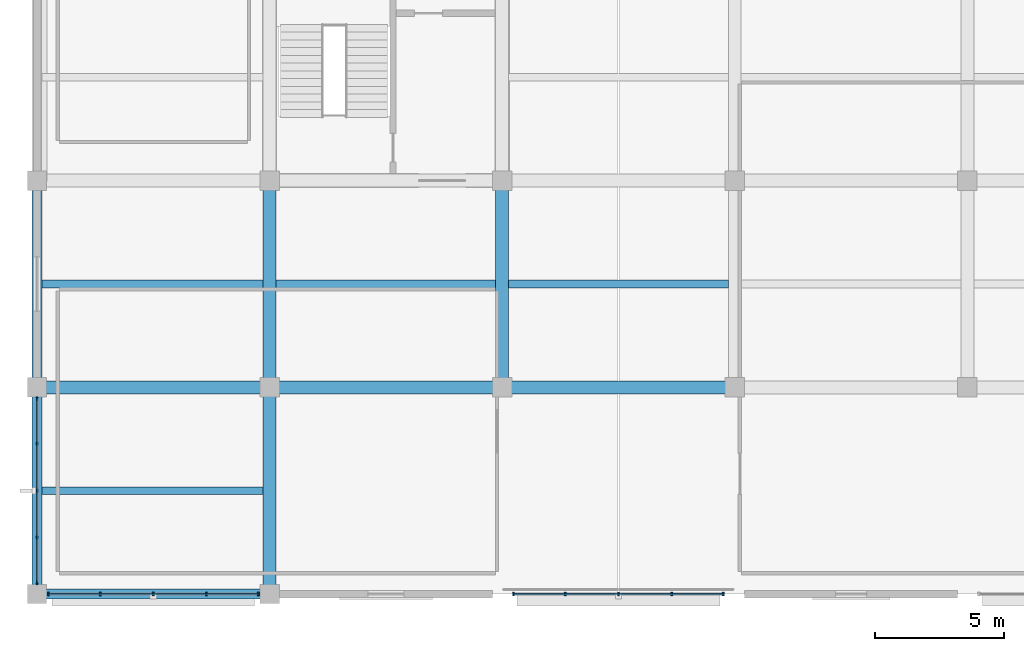
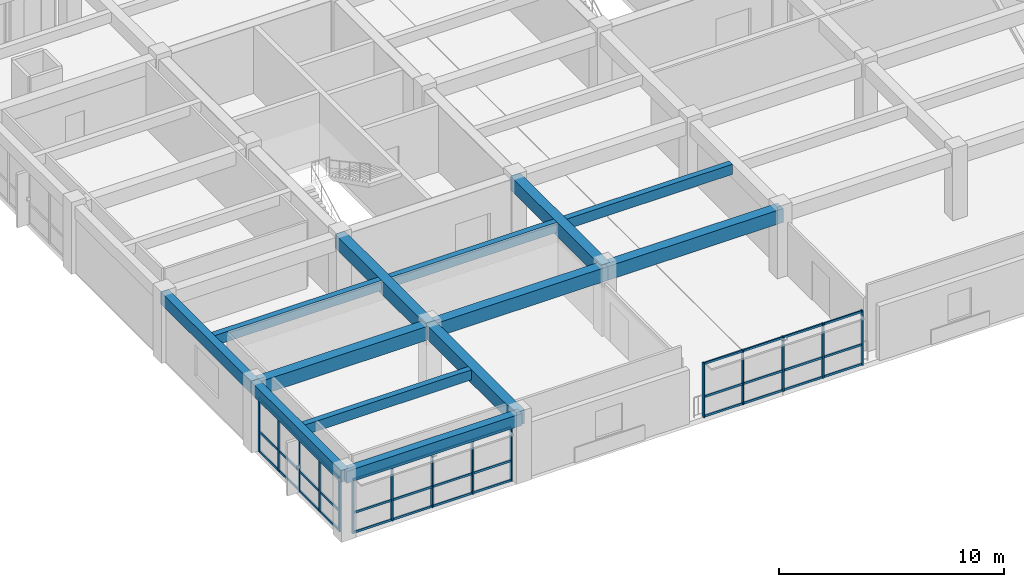
# One storey, part 2 of 15: 24 members, 13 beams, 3 elements without a shape of their own.
"""IFC4 building model written with IfcOpenShell, lengths in metres."""

from ifc_helpers import new_model, si_unit, direction, frame, origin, origin_2d, place, context, subcontext, project, spatial, rectangle, extrude, material, material_profile, profile_set, type_object, element, aggregate, save


model = new_model("IFC4")

# Units and contexts
model_context = context("Model", 3, precision=1e-05, world=origin(), true_north=direction((0.0, 1.0)))
body_context = subcontext(model_context, "Body", "Model", "MODEL_VIEW")
ifc_project = project(units=[si_unit("LENGTHUNIT", "METRE"), si_unit("AREAUNIT", "SQUARE_METRE"), si_unit("VOLUMEUNIT", "CUBIC_METRE"), si_unit("PLANEANGLEUNIT", "RADIAN"), si_unit("MASSUNIT", "GRAM", prefix="KILO")], contexts=[model_context])

# Site, building, storey
site_placement = place(None, origin())
site = spatial("IfcSite", under=ifc_project, at=site_placement, CompositionType="ELEMENT")
building_placement = place(site_placement, origin())
building = spatial("IfcBuilding", under=site, at=building_placement, Name="Zaverband Oceanarium and Marine Research Institute", CompositionType="ELEMENT")
storey_placement = place(building_placement, frame((0.0, 0.0, 45.300048828125)))
storey = spatial("IfcBuildingStorey", under=building, at=storey_placement, Name="L11", CompositionType="ELEMENT", Elevation=45.300048828125)

# Beams
ifc_material_1 = material(Name="Concrete C40/50", Category="concrete")
ifc_material_profile_1 = material_profile(ifc_material_1, rectangle(XDim=0.5, YDim=0.75, at=origin_2d()), Name="RC500x750")
ifc_profile_set_1 = profile_set([ifc_material_profile_1], Name="Concrete C40/50")
beam_type_1 = type_object("IfcBeamType", Name="BM-500x750", PredefinedType="BEAM", material=ifc_profile_set_1)
for number, where, z_axis, x_axis, name in (
    (1, (9.0, 72.0, 3.244873046875), (1.0, 0.0, 0.0), (0.0, 1.0, 0.0), "Primary floor girder BM-500x750"),
    (2, (18.0, 72.0, 3.244873046875), (1.0, 0.0, 0.0), (0.0, 1.0, 0.0), "Primary floor girder BM-500x750"),
    (3, (27.0, 72.0, 3.244873046875), (1.0, 0.0, 0.0), (0.0, 1.0, 0.0), "Primary floor girder BM-500x750"),
):
    element("IfcBeam", number, at=place(storey_placement, frame(where, z_axis=z_axis, x_axis=x_axis)), inside=storey, type_object=beam_type_1, Name=name, PredefinedType="BEAM", context=body_context, shape_type="SweptSolid", body=[
        extrude(rectangle(XDim=0.5, YDim=0.75, at=origin_2d()), origin(), (0.0, 0.0, 1.0), 9.0),
    ])
for number, where, z_axis, x_axis, name in (
    (4, (18.0, 64.0, 3.244873046875), (0.0, 1.0, 0.0), (-1.0, 0.0, 0.0), "Primary floor girder BM-500x750"),
    (5, (18.0, 72.0, 3.244873046875), (0.0, 1.0, 0.0), (-1.0, 0.0, 0.0), "Primary floor girder BM-500x750"),
    (6, (27.0, 72.0, 3.244873046875), (0.0, 1.0, 0.0), (-1.0, 0.0, 0.0), "Primary floor girder BM-500x750"),
):
    element("IfcBeam", number, at=place(storey_placement, frame(where, z_axis=z_axis, x_axis=x_axis)), inside=storey, type_object=beam_type_1, Name=name, PredefinedType="BEAM", context=body_context, shape_type="SweptSolid", body=[
        extrude(rectangle(XDim=0.5, YDim=0.75, at=origin_2d()), origin(), (0.0, 0.0, 1.0), 8.0),
    ])
ifc_material_profile_2 = material_profile(ifc_material_1, rectangle(XDim=0.300048828125, YDim=0.550048828125, at=origin_2d()), Name="RC300x550")
ifc_profile_set_2 = profile_set([ifc_material_profile_2], Name="Concrete C40/50")
beam_type_2 = type_object("IfcBeamType", Name="JST-300x550", PredefinedType="JOIST", material=ifc_profile_set_2)
for number, where, z_axis, x_axis, name in (
    (7, (9.199951171875, 68.0, 3.344970703125), (1.0, 0.0, 0.0), (0.0, 1.0, 0.0), "Secondary floor joist JST-300x550"),
    (8, (9.199951171875, 76.0, 3.344970703125), (1.0, 0.0, 0.0), (0.0, 1.0, 0.0), "Secondary floor joist JST-300x550"),
):
    element("IfcBeam", number, at=place(storey_placement, frame(where, z_axis=z_axis, x_axis=x_axis)), inside=storey, type_object=beam_type_2, Name=name, PredefinedType="JOIST", context=body_context, shape_type="SweptSolid", body=[
        extrude(rectangle(XDim=0.300048828125, YDim=0.550048828125, at=origin_2d()), origin(), (0.0, 0.0, 1.0), 8.550048828125),
    ])
for number, where, z_axis, x_axis, name in (
    (9, (18.25, 76.0, 3.344970703125), (1.0, 0.0, 0.0), (0.0, 1.0, 0.0), "Secondary floor joist JST-300x550"),
    (10, (27.25, 76.0, 3.344970703125), (1.0, 0.0, 0.0), (0.0, 1.0, 0.0), "Secondary floor joist JST-300x550"),
):
    element("IfcBeam", number, at=place(storey_placement, frame(where, z_axis=z_axis, x_axis=x_axis)), inside=storey, type_object=beam_type_2, Name=name, PredefinedType="JOIST", context=body_context, shape_type="SweptSolid", body=[
        extrude(rectangle(XDim=0.300048828125, YDim=0.550048828125, at=origin_2d()), origin(), (0.0, 0.0, 1.0), 8.5),
    ])

# Curtain wall, members
ifc_material_2 = material(Name="Thermally broken anodized aluminium and solar-control glass", Category="aluminium")
curtain_wall_type = type_object("IfcCurtainWallType", Name="CW-UNIT-1800", PredefinedType="NOTDEFINED", material=ifc_material_2)
curtain_wall_1_placement = place(storey_placement, origin())
curtain_wall_1 = element("IfcCurtainWall", 11, at=curtain_wall_1_placement, inside=storey, type_object=curtain_wall_type, Name="Unitised glazed curtain wall CW-121", PredefinedType="NOTDEFINED")
ifc_material_3 = material(Name="Thermally broken anodized aluminium", Category="aluminium")
ifc_material_profile_3 = material_profile(ifc_material_3, rectangle(XDim=0.070068359375, YDim=0.14990234375, at=origin_2d()), Name="AL-MUL-70x150")
ifc_profile_set_3 = profile_set([ifc_material_profile_3], Name="Thermally broken anodized aluminium")
member_type_1 = type_object("IfcMemberType", Name="MUL-70x150", PredefinedType="MULLION", material=ifc_profile_set_3)
member_1_placement = place(storey_placement, frame((9.43994140625, 64.0, 0.0), z_axis=(0.0, 0.0, 1.0), x_axis=(1.0, 0.0, 0.0)))
member_1 = element("IfcMember", 12, at=member_1_placement, type_object=member_type_1, Name="Curtain wall vertical mullion MUL-70x150", PredefinedType="MULLION", context=body_context, shape_type="SweptSolid", body=[
    extrude(rectangle(XDim=0.070068359375, YDim=0.14990234375, at=origin_2d()), origin(), (0.0, 0.0, 1.0), 2.949951171875),
])
member_2_placement = place(storey_placement, frame((11.43994140625, 64.0, 0.0), z_axis=(0.0, 0.0, 1.0), x_axis=(1.0, 0.0, 0.0)))
member_2 = element("IfcMember", 13, at=member_2_placement, type_object=member_type_1, Name="Curtain wall vertical mullion MUL-70x150", PredefinedType="MULLION", context=body_context, shape_type="SweptSolid", body=[
    extrude(rectangle(XDim=0.070068359375, YDim=0.14990234375, at=origin_2d()), origin(), (0.0, 0.0, 1.0), 2.949951171875),
])
member_3_placement = place(storey_placement, frame((13.5, 64.0, 0.0), z_axis=(0.0, 0.0, 1.0), x_axis=(1.0, 0.0, 0.0)))
member_3 = element("IfcMember", 14, at=member_3_placement, type_object=member_type_1, Name="Curtain wall vertical mullion MUL-70x150", PredefinedType="MULLION", context=body_context, shape_type="SweptSolid", body=[
    extrude(rectangle(XDim=0.070068359375, YDim=0.14990234375, at=origin_2d()), origin(), (0.0, 0.0, 1.0), 2.949951171875),
])
member_4_placement = place(storey_placement, frame((15.56005859375, 64.0, 0.0), z_axis=(0.0, 0.0, 1.0), x_axis=(1.0, 0.0, 0.0)))
member_4 = element("IfcMember", 15, at=member_4_placement, type_object=member_type_1, Name="Curtain wall vertical mullion MUL-70x150", PredefinedType="MULLION", context=body_context, shape_type="SweptSolid", body=[
    extrude(rectangle(XDim=0.070068359375, YDim=0.14990234375, at=origin_2d()), origin(), (0.0, 0.0, 1.0), 2.949951171875),
])
member_5_placement = place(storey_placement, frame((17.56005859375, 64.0, 0.0), z_axis=(0.0, 0.0, 1.0), x_axis=(1.0, 0.0, 0.0)))
member_5 = element("IfcMember", 16, at=member_5_placement, type_object=member_type_1, Name="Curtain wall vertical mullion MUL-70x150", PredefinedType="MULLION", context=body_context, shape_type="SweptSolid", body=[
    extrude(rectangle(XDim=0.070068359375, YDim=0.14990234375, at=origin_2d()), origin(), (0.0, 0.0, 1.0), 2.949951171875),
])

curtain_wall_2_placement = place(storey_placement, origin())
curtain_wall_2 = element("IfcCurtainWall", 17, at=curtain_wall_2_placement, inside=storey, type_object=curtain_wall_type, Name="Unitised glazed curtain wall CW-122", PredefinedType="NOTDEFINED")
member_6_placement = place(storey_placement, frame((27.43994140625, 64.0, 0.0), z_axis=(0.0, 0.0, 1.0), x_axis=(1.0, 0.0, 0.0)))
member_6 = element("IfcMember", 18, at=member_6_placement, type_object=member_type_1, Name="Curtain wall vertical mullion MUL-70x150", PredefinedType="MULLION", context=body_context, shape_type="SweptSolid", body=[
    extrude(rectangle(XDim=0.070068359375, YDim=0.14990234375, at=origin_2d()), origin(), (0.0, 0.0, 1.0), 2.949951171875),
])
member_7_placement = place(storey_placement, frame((29.43994140625, 64.0, 0.0), z_axis=(0.0, 0.0, 1.0), x_axis=(1.0, 0.0, 0.0)))
member_7 = element("IfcMember", 19, at=member_7_placement, type_object=member_type_1, Name="Curtain wall vertical mullion MUL-70x150", PredefinedType="MULLION", context=body_context, shape_type="SweptSolid", body=[
    extrude(rectangle(XDim=0.070068359375, YDim=0.14990234375, at=origin_2d()), origin(), (0.0, 0.0, 1.0), 2.949951171875),
])
member_8_placement = place(storey_placement, frame((31.5, 64.0, 0.0), z_axis=(0.0, 0.0, 1.0), x_axis=(1.0, 0.0, 0.0)))
member_8 = element("IfcMember", 20, at=member_8_placement, type_object=member_type_1, Name="Curtain wall vertical mullion MUL-70x150", PredefinedType="MULLION", context=body_context, shape_type="SweptSolid", body=[
    extrude(rectangle(XDim=0.070068359375, YDim=0.14990234375, at=origin_2d()), origin(), (0.0, 0.0, 1.0), 2.949951171875),
])
member_9_placement = place(storey_placement, frame((33.56005859375, 64.0, 0.0), z_axis=(0.0, 0.0, 1.0), x_axis=(1.0, 0.0, 0.0)))
member_9 = element("IfcMember", 21, at=member_9_placement, type_object=member_type_1, Name="Curtain wall vertical mullion MUL-70x150", PredefinedType="MULLION", context=body_context, shape_type="SweptSolid", body=[
    extrude(rectangle(XDim=0.070068359375, YDim=0.14990234375, at=origin_2d()), origin(), (0.0, 0.0, 1.0), 2.949951171875),
])
member_10_placement = place(storey_placement, frame((35.56005859375, 64.0, 0.0), z_axis=(0.0, 0.0, 1.0), x_axis=(1.0, 0.0, 0.0)))
member_10 = element("IfcMember", 22, at=member_10_placement, type_object=member_type_1, Name="Curtain wall vertical mullion MUL-70x150", PredefinedType="MULLION", context=body_context, shape_type="SweptSolid", body=[
    extrude(rectangle(XDim=0.070068359375, YDim=0.14990234375, at=origin_2d()), origin(), (0.0, 0.0, 1.0), 2.949951171875),
])

curtain_wall_3_placement = place(storey_placement, origin())
curtain_wall_3 = element("IfcCurtainWall", 23, at=curtain_wall_3_placement, inside=storey, type_object=curtain_wall_type, Name="Unitised glazed curtain wall CW-127", PredefinedType="NOTDEFINED")
member_11_placement = place(storey_placement, frame((9.0, 64.43994140625, 0.0), z_axis=(0.0, 0.0, 1.0), x_axis=(1.0, 0.0, 0.0)))
member_11 = element("IfcMember", 24, at=member_11_placement, type_object=member_type_1, Name="Curtain wall vertical mullion MUL-70x150", PredefinedType="MULLION", context=body_context, shape_type="SweptSolid", body=[
    extrude(rectangle(XDim=0.070068359375, YDim=0.14990234375, at=origin_2d()), origin(), (0.0, 0.0, 1.0), 2.949951171875),
])
member_12_placement = place(storey_placement, frame((9.0, 66.18994140625, 0.0), z_axis=(0.0, 0.0, 1.0), x_axis=(1.0, 0.0, 0.0)))
member_12 = element("IfcMember", 25, at=member_12_placement, type_object=member_type_1, Name="Curtain wall vertical mullion MUL-70x150", PredefinedType="MULLION", context=body_context, shape_type="SweptSolid", body=[
    extrude(rectangle(XDim=0.070068359375, YDim=0.14990234375, at=origin_2d()), origin(), (0.0, 0.0, 1.0), 2.949951171875),
])
member_13_placement = place(storey_placement, frame((9.0, 68.0, 0.0), z_axis=(0.0, 0.0, 1.0), x_axis=(1.0, 0.0, 0.0)))
member_13 = element("IfcMember", 26, at=member_13_placement, type_object=member_type_1, Name="Curtain wall vertical mullion MUL-70x150", PredefinedType="MULLION", context=body_context, shape_type="SweptSolid", body=[
    extrude(rectangle(XDim=0.070068359375, YDim=0.14990234375, at=origin_2d()), origin(), (0.0, 0.0, 1.0), 2.949951171875),
])
member_14_placement = place(storey_placement, frame((9.0, 69.81005859375, 0.0), z_axis=(0.0, 0.0, 1.0), x_axis=(1.0, 0.0, 0.0)))
member_14 = element("IfcMember", 27, at=member_14_placement, type_object=member_type_1, Name="Curtain wall vertical mullion MUL-70x150", PredefinedType="MULLION", context=body_context, shape_type="SweptSolid", body=[
    extrude(rectangle(XDim=0.070068359375, YDim=0.14990234375, at=origin_2d()), origin(), (0.0, 0.0, 1.0), 2.949951171875),
])
member_15_placement = place(storey_placement, frame((9.0, 71.56005859375, 0.0), z_axis=(0.0, 0.0, 1.0), x_axis=(1.0, 0.0, 0.0)))
member_15 = element("IfcMember", 28, at=member_15_placement, type_object=member_type_1, Name="Curtain wall vertical mullion MUL-70x150", PredefinedType="MULLION", context=body_context, shape_type="SweptSolid", body=[
    extrude(rectangle(XDim=0.070068359375, YDim=0.14990234375, at=origin_2d()), origin(), (0.0, 0.0, 1.0), 2.949951171875),
])

# Beams
ifc_material_profile_4 = material_profile(ifc_material_1, rectangle(XDim=0.39990234375, YDim=0.64990234375, at=origin_2d()), Name="RC400x650")
ifc_profile_set_4 = profile_set([ifc_material_profile_4], Name="Concrete C40/50")
beam_type_3 = type_object("IfcBeamType", Name="SPN-400x650", PredefinedType="SPANDREL", material=ifc_profile_set_4)
beam_placement = place(storey_placement, frame((9.0, 64.0, 3.294921875), z_axis=(1.0, 0.0, 0.0), x_axis=(0.0, 1.0, 0.0)))
element("IfcBeam", 29, at=beam_placement, inside=storey, type_object=beam_type_3, Name="Perimeter spandrel beam SPN-400x650", PredefinedType="SPANDREL", context=body_context, shape_type="SweptSolid", body=[
    extrude(rectangle(XDim=0.39990234375, YDim=0.64990234375, at=origin_2d()), origin(), (0.0, 0.0, 1.0), 9.0),
])
for number, where, z_axis, x_axis, name in (
    (30, (9.0, 64.0, 3.294921875), (0.0, 1.0, 0.0), (-1.0, 0.0, 0.0), "Perimeter spandrel beam SPN-400x650"),
    (31, (9.0, 72.0, 3.294921875), (0.0, 1.0, 0.0), (-1.0, 0.0, 0.0), "Perimeter spandrel beam SPN-400x650"),
):
    element("IfcBeam", number, at=place(storey_placement, frame(where, z_axis=z_axis, x_axis=x_axis)), inside=storey, type_object=beam_type_3, Name=name, PredefinedType="SPANDREL", context=body_context, shape_type="SweptSolid", body=[
        extrude(rectangle(XDim=0.39990234375, YDim=0.64990234375, at=origin_2d()), origin(), (0.0, 0.0, 1.0), 8.0),
    ])

# Member
ifc_material_profile_5 = material_profile(ifc_material_3, rectangle(XDim=0.070068359375, YDim=0.114990234375, at=origin_2d()), Name="AL-TRN-70x115")
ifc_profile_set_5 = profile_set([ifc_material_profile_5], Name="Thermally broken anodized aluminium")
member_type_2 = type_object("IfcMemberType", Name="TRN-70x115", PredefinedType="USERDEFINED", material=ifc_profile_set_5)
member_16_placement = place(storey_placement, frame((9.43994140625, 64.0, 0.050048828125), z_axis=(1.0, 0.0, 0.0), x_axis=(0.0, 1.0, 0.0)))
member_16 = element("IfcMember", 32, at=member_16_placement, type_object=member_type_2, Name="Curtain wall horizontal transom TRN-70x115", ObjectType="TRANSOM", PredefinedType="USERDEFINED", context=body_context, shape_type="SweptSolid", body=[
    extrude(rectangle(XDim=0.070068359375, YDim=0.114990234375, at=origin_2d()), origin(), (0.0, 0.0, 1.0), 8.1201171875),
])

member_17_placement = place(storey_placement, frame((9.43994140625, 64.0, 1.112060546875), z_axis=(1.0, 0.0, 0.0), x_axis=(0.0, 1.0, 0.0)))
member_17 = element("IfcMember", 33, at=member_17_placement, type_object=member_type_2, Name="Curtain wall horizontal transom TRN-70x115", ObjectType="TRANSOM", PredefinedType="USERDEFINED", context=body_context, shape_type="SweptSolid", body=[
    extrude(rectangle(XDim=0.070068359375, YDim=0.114990234375, at=origin_2d()), origin(), (0.0, 0.0, 1.0), 8.1201171875),
])

member_18_placement = place(storey_placement, frame((9.43994140625, 64.0, 2.89990234375), z_axis=(1.0, 0.0, 0.0), x_axis=(0.0, 1.0, 0.0)))
member_18 = element("IfcMember", 34, at=member_18_placement, type_object=member_type_2, Name="Curtain wall horizontal transom TRN-70x115", ObjectType="TRANSOM", PredefinedType="USERDEFINED", context=body_context, shape_type="SweptSolid", body=[
    extrude(rectangle(XDim=0.070068359375, YDim=0.114990234375, at=origin_2d()), origin(), (0.0, 0.0, 1.0), 8.1201171875),
])

aggregate(curtain_wall_1, [member_1, member_2, member_3, member_4, member_5, member_16, member_17, member_18])

member_19_placement = place(storey_placement, frame((27.43994140625, 64.0, 0.050048828125), z_axis=(1.0, 0.0, 0.0), x_axis=(0.0, 1.0, 0.0)))
member_19 = element("IfcMember", 35, at=member_19_placement, type_object=member_type_2, Name="Curtain wall horizontal transom TRN-70x115", ObjectType="TRANSOM", PredefinedType="USERDEFINED", context=body_context, shape_type="SweptSolid", body=[
    extrude(rectangle(XDim=0.070068359375, YDim=0.114990234375, at=origin_2d()), origin(), (0.0, 0.0, 1.0), 8.1201171875),
])

member_20_placement = place(storey_placement, frame((27.43994140625, 64.0, 1.112060546875), z_axis=(1.0, 0.0, 0.0), x_axis=(0.0, 1.0, 0.0)))
member_20 = element("IfcMember", 36, at=member_20_placement, type_object=member_type_2, Name="Curtain wall horizontal transom TRN-70x115", ObjectType="TRANSOM", PredefinedType="USERDEFINED", context=body_context, shape_type="SweptSolid", body=[
    extrude(rectangle(XDim=0.070068359375, YDim=0.114990234375, at=origin_2d()), origin(), (0.0, 0.0, 1.0), 8.1201171875),
])

member_21_placement = place(storey_placement, frame((27.43994140625, 64.0, 2.89990234375), z_axis=(1.0, 0.0, 0.0), x_axis=(0.0, 1.0, 0.0)))
member_21 = element("IfcMember", 37, at=member_21_placement, type_object=member_type_2, Name="Curtain wall horizontal transom TRN-70x115", ObjectType="TRANSOM", PredefinedType="USERDEFINED", context=body_context, shape_type="SweptSolid", body=[
    extrude(rectangle(XDim=0.070068359375, YDim=0.114990234375, at=origin_2d()), origin(), (0.0, 0.0, 1.0), 8.1201171875),
])

aggregate(curtain_wall_2, [member_6, member_7, member_8, member_9, member_10, member_19, member_20, member_21])

member_22_placement = place(storey_placement, frame((9.0, 64.43994140625, 0.050048828125), z_axis=(0.0, 1.0, 0.0), x_axis=(-1.0, 0.0, 0.0)))
member_22 = element("IfcMember", 38, at=member_22_placement, type_object=member_type_2, Name="Curtain wall horizontal transom TRN-70x115", ObjectType="TRANSOM", PredefinedType="USERDEFINED", context=body_context, shape_type="SweptSolid", body=[
    extrude(rectangle(XDim=0.070068359375, YDim=0.114990234375, at=origin_2d()), origin(), (0.0, 0.0, 1.0), 7.1201171875),
])

member_23_placement = place(storey_placement, frame((9.0, 64.43994140625, 1.112060546875), z_axis=(0.0, 1.0, 0.0), x_axis=(-1.0, 0.0, 0.0)))
member_23 = element("IfcMember", 39, at=member_23_placement, type_object=member_type_2, Name="Curtain wall horizontal transom TRN-70x115", ObjectType="TRANSOM", PredefinedType="USERDEFINED", context=body_context, shape_type="SweptSolid", body=[
    extrude(rectangle(XDim=0.070068359375, YDim=0.114990234375, at=origin_2d()), origin(), (0.0, 0.0, 1.0), 7.1201171875),
])

member_24_placement = place(storey_placement, frame((9.0, 64.43994140625, 2.89990234375), z_axis=(0.0, 1.0, 0.0), x_axis=(-1.0, 0.0, 0.0)))
member_24 = element("IfcMember", 40, at=member_24_placement, type_object=member_type_2, Name="Curtain wall horizontal transom TRN-70x115", ObjectType="TRANSOM", PredefinedType="USERDEFINED", context=body_context, shape_type="SweptSolid", body=[
    extrude(rectangle(XDim=0.070068359375, YDim=0.114990234375, at=origin_2d()), origin(), (0.0, 0.0, 1.0), 7.1201171875),
])

aggregate(curtain_wall_3, [member_11, member_12, member_13, member_14, member_15, member_22, member_23, member_24])

save(model, "model.ifc")
